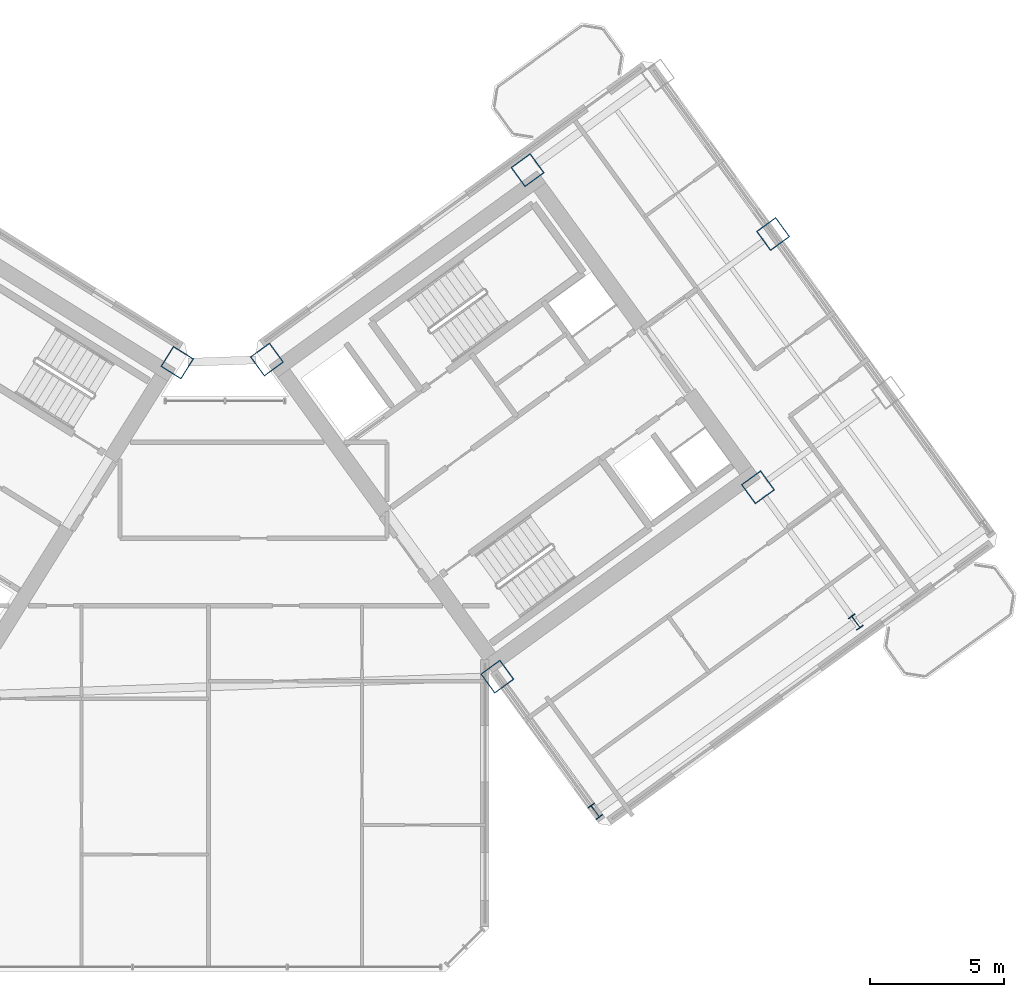
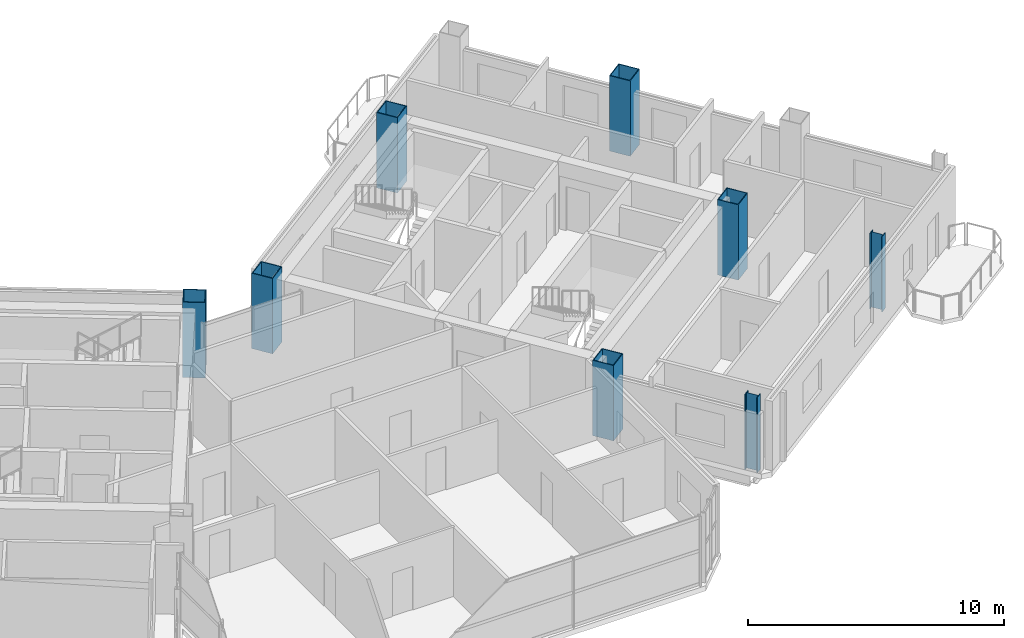
# One storey, part 2 of 29: 8 columns.
"""IFC4 building model written with IfcOpenShell, lengths in metres."""

from ifc_helpers import new_model, si_unit, direction, frame, origin, origin_2d, place, context, subcontext, project, spatial, hollow_rectangle, i_section, extrude, source, transform, mapped, material, material_profile, profile_set, type_object, element, save


model = new_model("IFC4")

# Units and contexts
model_context = context("Model", 3, precision=1e-05, world=origin(), true_north=direction((0.0, 1.0)))
body_context = subcontext(model_context, "Body", "Model", "MODEL_VIEW")
ifc_project = project(units=[si_unit("LENGTHUNIT", "METRE"), si_unit("AREAUNIT", "SQUARE_METRE"), si_unit("VOLUMEUNIT", "CUBIC_METRE"), si_unit("PLANEANGLEUNIT", "RADIAN"), si_unit("MASSUNIT", "GRAM", prefix="KILO")], contexts=[model_context])

# Site, building, storey
site_placement = place(None, origin())
site = spatial("IfcSite", under=ifc_project, at=site_placement, CompositionType="ELEMENT")
building_placement = place(site_placement, origin())
building = spatial("IfcBuilding", under=site, at=building_placement, Name="Tlacorven Tower", CompositionType="ELEMENT")
storey_placement = place(building_placement, frame((0.0, 0.0, 165.89990234375)))
storey = spatial("IfcBuildingStorey", under=building, at=storey_placement, Name="L42", CompositionType="ELEMENT", Elevation=165.89990234375)

# Columns
ifc_material = material(Name="Steel S460M", Category="steel")
ifc_material_profile_1 = material_profile(ifc_material, hollow_rectangle(XDim=0.89990234375, YDim=0.89990234375, WallThickness=0.035888671875, at=origin_2d()), Name="BOX 900X900X36")
ifc_profile_set_1 = profile_set([ifc_material_profile_1], Name="Steel S460M")
column_type_1 = type_object("IfcColumnType", Name="COL-TWR-S2", PredefinedType="COLUMN", material=ifc_profile_set_1)
shared_shape_1 = source(origin(), body_context, "Body", "SweptSolid", [
    extrude(hollow_rectangle(XDim=0.89990234375, YDim=0.89990234375, WallThickness=0.035888671875, at=origin_2d()), origin(), (0.0, 0.0, 1.0), 3.60009765625),
])
for number, where, z_axis, x_axis, name in (
    (1, (40.782958984375, 24.468505859375, 0.0), (0.0, 0.0, 1.0), (-0.848048096156, 0.529919264233, 0.0), "L42 column COL-L42-W1-1"),
    (2, (52.705322265625, 12.7734375, 0.0), (0.0, 0.0, 1.0), (0.809016994375, 0.587785252292, 0.0), "L42 column COL-L42-E1-2"),
    (3, (44.123779296875, 24.5849609375, 0.0), (0.0, 0.0, 1.0), (0.809016994375, 0.587785252292, 0.0), "L42 column COL-L42-E1-4"),
    (4, (62.41357421875, 19.826904296875, 0.0), (0.0, 0.0, 1.0), (0.809016994375, 0.587785252292, 0.0), "L42 column COL-L42-E3-2"),
    (5, (53.83203125, 31.638427734375, 0.0), (0.0, 0.0, 1.0), (0.809016994375, 0.587785252292, 0.0), "L42 column COL-L42-E3-4"),
    (6, (62.976806640625, 29.25927734375, 0.0), (0.0, 0.0, 1.0), (0.809016994375, 0.587785252292, 0.0), "L42 column COL-L42-E4-3"),
):
    element("IfcColumn", number, at=place(storey_placement, frame(where, z_axis=z_axis, x_axis=x_axis)), inside=storey, type_object=column_type_1, Name=name, PredefinedType="COLUMN", context=body_context, shape_type="MappedRepresentation", body=[
        mapped(shared_shape_1, transform((0.0, 0.0, 0.0), scale=1.0)),
    ])
ifc_material_profile_2 = material_profile(ifc_material, i_section(OverallWidth=0.300048828125, OverallDepth=0.550048828125, WebThickness=0.014892578125, FlangeThickness=0.029052734375, at=origin_2d()), Name="HEB 550")
ifc_profile_set_2 = profile_set([ifc_material_profile_2], Name="Steel S460M")
column_type_2 = type_object("IfcColumnType", Name="COL-TWR-P2", PredefinedType="COLUMN", material=ifc_profile_set_2)
shared_shape_2 = source(origin(), body_context, "Body", "SweptSolid", [
    extrude(i_section(OverallWidth=0.300048828125, OverallDepth=0.550048828125, WebThickness=0.014892578125, FlangeThickness=0.029052734375, at=origin_2d()), origin(), (0.0, 0.0, 1.0), 3.60009765625),
])
for number, where, z_axis, x_axis, name in (
    (7, (56.349609375, 7.757568359375, 0.0), (0.0, 0.0, 1.0), (0.809016994375, 0.587785252292, 0.0), "L42 column COL-L42-E1-1"),
    (8, (66.057861328125, 14.81103515625, 0.0), (0.0, 0.0, 1.0), (0.809016994375, 0.587785252292, 0.0), "L42 column COL-L42-E3-1"),
):
    element("IfcColumn", number, at=place(storey_placement, frame(where, z_axis=z_axis, x_axis=x_axis)), inside=storey, type_object=column_type_2, Name=name, PredefinedType="COLUMN", context=body_context, shape_type="MappedRepresentation", body=[
        mapped(shared_shape_2, transform((0.0, 0.0, 0.0), scale=1.0)),
    ])

save(model, "model.ifc")
